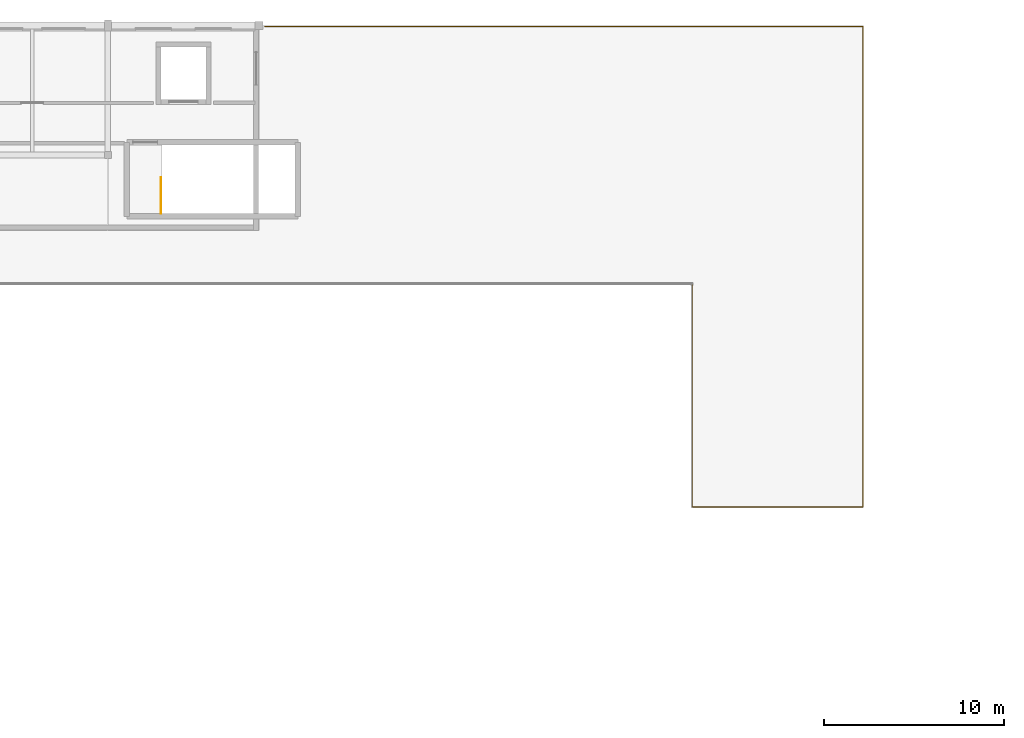
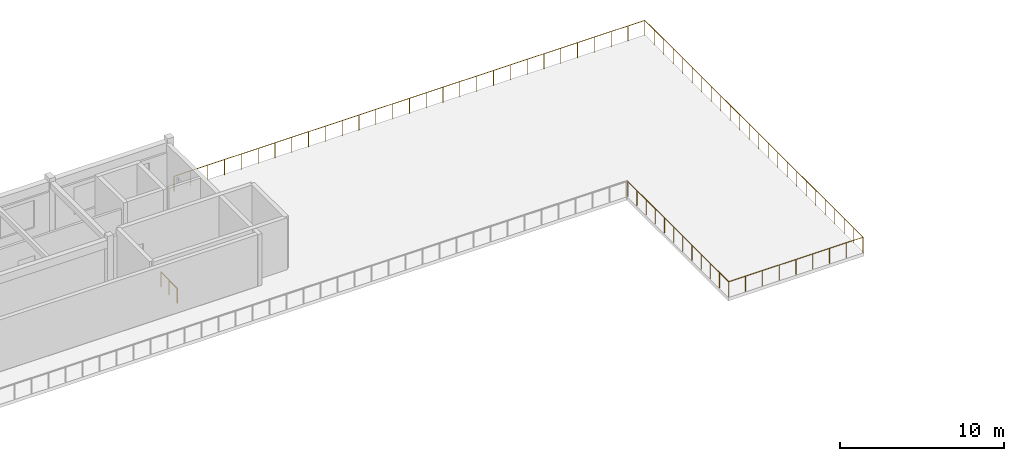
# One storey, part 14 of 14: 2 railings.
"""IFC4 building model written with IfcOpenShell, lengths in metres."""

from ifc_helpers import new_model, si_unit, direction, frame, origin, origin_2d, place, context, subcontext, project, spatial, circle, extrude, material, layer, layer_set, type_object, element, save


model = new_model("IFC4")

# Units and contexts
model_context = context("Model", 3, precision=1e-05, world=origin(), true_north=direction((0.0, 1.0)))
body_context = subcontext(model_context, "Body", "Model", "MODEL_VIEW")
ifc_project = project(units=[si_unit("LENGTHUNIT", "METRE"), si_unit("AREAUNIT", "SQUARE_METRE"), si_unit("VOLUMEUNIT", "CUBIC_METRE"), si_unit("PLANEANGLEUNIT", "RADIAN"), si_unit("MASSUNIT", "GRAM", prefix="KILO")], contexts=[model_context])

# Site, building, storey
site_placement = place(None, origin())
site = spatial("IfcSite", under=ifc_project, at=site_placement, CompositionType="ELEMENT")
building_placement = place(site_placement, origin())
building = spatial("IfcBuilding", under=site, at=building_placement, Name="Malvenik Polytechnic", CompositionType="ELEMENT")
storey_placement = place(building_placement, frame((0.0, 0.0, 21.89990234375)))
storey = spatial("IfcBuildingStorey", under=building, at=storey_placement, Name="L05", CompositionType="ELEMENT", Elevation=21.89990234375)

# Railings
ifc_material_1 = material(Name="Galvanised powder-coated steel and laminated glass guard 1150mm", Category="steel")
ifc_layer_1 = layer(ifc_material_1, 0.070068359375)
ifc_layer_set_1 = layer_set([ifc_layer_1], Name="Galvanised powder-coated steel and laminated glass guard 1150mm")
railing_type_1 = type_object("IfcRailingType", Name="ARC-RL-BAL-1150", PredefinedType="BALUSTRADE", material=ifc_layer_set_1)
railing_1_placement = place(storey_placement, frame((101.1201171875, 129.5400390625, 0.0)))
element("IfcRailing", 1, at=railing_1_placement, inside=storey, type_object=railing_type_1, Name="Terrace Perimeter Balustrade L05 #21", PredefinedType="BALUSTRADE", context=body_context, shape_type="SweptSolid", body=[
    extrude(circle(Radius=0.02392578125, at=origin_2d()), frame((0.0, 0.0, 1.1259765625), z_axis=(1.0, 0.0, 0.0), x_axis=(0.0, 1.0, 0.0)), (0.0, 0.0, 1.0), 33.219970703125),
    extrude(circle(Radius=0.02392578125, at=origin_2d()), frame((33.219970703125, 0.0, 1.1259765625), z_axis=(0.0, -1.0, 0.0), x_axis=(1.0, 0.0, 0.0)), (0.0, 0.0, 1.0), 26.679931640625),
    extrude(circle(Radius=0.02392578125, at=origin_2d()), frame((33.219970703125, -26.679931640625, 1.1259765625), z_axis=(-1.0, 0.0, 0.0), x_axis=(0.0, -1.0, 0.0)), (0.0, 0.0, 1.0), 9.47998046875),
    extrude(circle(Radius=0.02392578125, at=origin_2d()), frame((23.739990234375, -26.679931640625, 1.1259765625), z_axis=(0.0, 1.0, 0.0), x_axis=(-1.0, 0.0, 0.0)), (0.0, 0.0, 1.0), 12.33984375),
    extrude(circle(Radius=0.02099609375, at=origin_2d()), origin(), (0.0, 0.0, 1.0), 1.101806640625),
    extrude(circle(Radius=0.02099609375, at=origin_2d()), frame((1.1865234375, 0.0, 0.0)), (0.0, 0.0, 1.0), 1.101806640625),
    extrude(circle(Radius=0.02099609375, at=origin_2d()), frame((2.372802734375, 0.0, 0.0)), (0.0, 0.0, 1.0), 1.101806640625),
    extrude(circle(Radius=0.02099609375, at=origin_2d()), frame((3.559326171875, 0.0, 0.0)), (0.0, 0.0, 1.0), 1.101806640625),
    extrude(circle(Radius=0.02099609375, at=origin_2d()), frame((4.74560546875, 0.0, 0.0)), (0.0, 0.0, 1.0), 1.101806640625),
    extrude(circle(Radius=0.02099609375, at=origin_2d()), frame((5.93212890625, 0.0, 0.0)), (0.0, 0.0, 1.0), 1.101806640625),
    extrude(circle(Radius=0.02099609375, at=origin_2d()), frame((7.11865234375, 0.0, 0.0)), (0.0, 0.0, 1.0), 1.101806640625),
    extrude(circle(Radius=0.02099609375, at=origin_2d()), frame((8.304931640625, 0.0, 0.0)), (0.0, 0.0, 1.0), 1.101806640625),
    extrude(circle(Radius=0.02099609375, at=origin_2d()), frame((9.491455078125, 0.0, 0.0)), (0.0, 0.0, 1.0), 1.101806640625),
    extrude(circle(Radius=0.02099609375, at=origin_2d()), frame((10.677734375, 0.0, 0.0)), (0.0, 0.0, 1.0), 1.101806640625),
    extrude(circle(Radius=0.02099609375, at=origin_2d()), frame((11.8642578125, 0.0, 0.0)), (0.0, 0.0, 1.0), 1.101806640625),
    extrude(circle(Radius=0.02099609375, at=origin_2d()), frame((13.05078125, 0.0, 0.0)), (0.0, 0.0, 1.0), 1.101806640625),
    extrude(circle(Radius=0.02099609375, at=origin_2d()), frame((14.237060546875, 0.0, 0.0)), (0.0, 0.0, 1.0), 1.101806640625),
    extrude(circle(Radius=0.02099609375, at=origin_2d()), frame((15.423583984375, 0.0, 0.0)), (0.0, 0.0, 1.0), 1.101806640625),
    extrude(circle(Radius=0.02099609375, at=origin_2d()), frame((16.60986328125, 0.0, 0.0)), (0.0, 0.0, 1.0), 1.101806640625),
    extrude(circle(Radius=0.02099609375, at=origin_2d()), frame((17.79638671875, 0.0, 0.0)), (0.0, 0.0, 1.0), 1.101806640625),
    extrude(circle(Radius=0.02099609375, at=origin_2d()), frame((18.98291015625, 0.0, 0.0)), (0.0, 0.0, 1.0), 1.101806640625),
    extrude(circle(Radius=0.02099609375, at=origin_2d()), frame((20.169189453125, 0.0, 0.0)), (0.0, 0.0, 1.0), 1.101806640625),
    extrude(circle(Radius=0.02099609375, at=origin_2d()), frame((21.355712890625, 0.0, 0.0)), (0.0, 0.0, 1.0), 1.101806640625),
    extrude(circle(Radius=0.02099609375, at=origin_2d()), frame((22.542236328125, 0.0, 0.0)), (0.0, 0.0, 1.0), 1.101806640625),
    extrude(circle(Radius=0.02099609375, at=origin_2d()), frame((23.728515625, 0.0, 0.0)), (0.0, 0.0, 1.0), 1.101806640625),
    extrude(circle(Radius=0.02099609375, at=origin_2d()), frame((24.9150390625, 0.0, 0.0)), (0.0, 0.0, 1.0), 1.101806640625),
    extrude(circle(Radius=0.02099609375, at=origin_2d()), frame((26.101318359375, 0.0, 0.0)), (0.0, 0.0, 1.0), 1.101806640625),
    extrude(circle(Radius=0.02099609375, at=origin_2d()), frame((27.287841796875, 0.0, 0.0)), (0.0, 0.0, 1.0), 1.101806640625),
    extrude(circle(Radius=0.02099609375, at=origin_2d()), frame((28.474365234375, 0.0, 0.0)), (0.0, 0.0, 1.0), 1.101806640625),
    extrude(circle(Radius=0.02099609375, at=origin_2d()), frame((29.66064453125, 0.0, 0.0)), (0.0, 0.0, 1.0), 1.101806640625),
    extrude(circle(Radius=0.02099609375, at=origin_2d()), frame((30.84716796875, 0.0, 0.0)), (0.0, 0.0, 1.0), 1.101806640625),
    extrude(circle(Radius=0.02099609375, at=origin_2d()), frame((32.033447265625, 0.0, 0.0)), (0.0, 0.0, 1.0), 1.101806640625),
    extrude(circle(Radius=0.02099609375, at=origin_2d()), frame((33.219970703125, 0.0, 0.0)), (0.0, 0.0, 1.0), 1.101806640625),
    extrude(circle(Radius=0.02099609375, at=origin_2d()), frame((33.219970703125, -1.159912109375, 0.0)), (0.0, 0.0, 1.0), 1.101806640625),
    extrude(circle(Radius=0.02099609375, at=origin_2d()), frame((33.219970703125, -2.320068359375, 0.0)), (0.0, 0.0, 1.0), 1.101806640625),
    extrude(circle(Radius=0.02099609375, at=origin_2d()), frame((33.219970703125, -3.47998046875, 0.0)), (0.0, 0.0, 1.0), 1.101806640625),
    extrude(circle(Radius=0.02099609375, at=origin_2d()), frame((33.219970703125, -4.639892578125, 0.0)), (0.0, 0.0, 1.0), 1.101806640625),
    extrude(circle(Radius=0.02099609375, at=origin_2d()), frame((33.219970703125, -5.800048828125, 0.0)), (0.0, 0.0, 1.0), 1.101806640625),
    extrude(circle(Radius=0.02099609375, at=origin_2d()), frame((33.219970703125, -6.9599609375, 0.0)), (0.0, 0.0, 1.0), 1.101806640625),
    extrude(circle(Radius=0.02099609375, at=origin_2d()), frame((33.219970703125, -8.119873046875, 0.0)), (0.0, 0.0, 1.0), 1.101806640625),
    extrude(circle(Radius=0.02099609375, at=origin_2d()), frame((33.219970703125, -9.280029296875, 0.0)), (0.0, 0.0, 1.0), 1.101806640625),
    extrude(circle(Radius=0.02099609375, at=origin_2d()), frame((33.219970703125, -10.43994140625, 0.0)), (0.0, 0.0, 1.0), 1.101806640625),
    extrude(circle(Radius=0.02099609375, at=origin_2d()), frame((33.219970703125, -11.599853515625, 0.0)), (0.0, 0.0, 1.0), 1.101806640625),
    extrude(circle(Radius=0.02099609375, at=origin_2d()), frame((33.219970703125, -12.760009765625, 0.0)), (0.0, 0.0, 1.0), 1.101806640625),
    extrude(circle(Radius=0.02099609375, at=origin_2d()), frame((33.219970703125, -13.919921875, 0.0)), (0.0, 0.0, 1.0), 1.101806640625),
    extrude(circle(Radius=0.02099609375, at=origin_2d()), frame((33.219970703125, -15.080078125, 0.0)), (0.0, 0.0, 1.0), 1.101806640625),
    extrude(circle(Radius=0.02099609375, at=origin_2d()), frame((33.219970703125, -16.239990234375, 0.0)), (0.0, 0.0, 1.0), 1.101806640625),
    extrude(circle(Radius=0.02099609375, at=origin_2d()), frame((33.219970703125, -17.39990234375, 0.0)), (0.0, 0.0, 1.0), 1.101806640625),
    extrude(circle(Radius=0.02099609375, at=origin_2d()), frame((33.219970703125, -18.56005859375, 0.0)), (0.0, 0.0, 1.0), 1.101806640625),
    extrude(circle(Radius=0.02099609375, at=origin_2d()), frame((33.219970703125, -19.719970703125, 0.0)), (0.0, 0.0, 1.0), 1.101806640625),
    extrude(circle(Radius=0.02099609375, at=origin_2d()), frame((33.219970703125, -20.8798828125, 0.0)), (0.0, 0.0, 1.0), 1.101806640625),
    extrude(circle(Radius=0.02099609375, at=origin_2d()), frame((33.219970703125, -22.0400390625, 0.0)), (0.0, 0.0, 1.0), 1.101806640625),
    extrude(circle(Radius=0.02099609375, at=origin_2d()), frame((33.219970703125, -23.199951171875, 0.0)), (0.0, 0.0, 1.0), 1.101806640625),
    extrude(circle(Radius=0.02099609375, at=origin_2d()), frame((33.219970703125, -24.35986328125, 0.0)), (0.0, 0.0, 1.0), 1.101806640625),
    extrude(circle(Radius=0.02099609375, at=origin_2d()), frame((33.219970703125, -25.52001953125, 0.0)), (0.0, 0.0, 1.0), 1.101806640625),
    extrude(circle(Radius=0.02099609375, at=origin_2d()), frame((33.219970703125, -26.679931640625, 0.0)), (0.0, 0.0, 1.0), 1.101806640625),
    extrude(circle(Radius=0.02099609375, at=origin_2d()), frame((32.034912109375, -26.679931640625, 0.0)), (0.0, 0.0, 1.0), 1.101806640625),
    extrude(circle(Radius=0.02099609375, at=origin_2d()), frame((30.85009765625, -26.679931640625, 0.0)), (0.0, 0.0, 1.0), 1.101806640625),
    extrude(circle(Radius=0.02099609375, at=origin_2d()), frame((29.6650390625, -26.679931640625, 0.0)), (0.0, 0.0, 1.0), 1.101806640625),
    extrude(circle(Radius=0.02099609375, at=origin_2d()), frame((28.47998046875, -26.679931640625, 0.0)), (0.0, 0.0, 1.0), 1.101806640625),
    extrude(circle(Radius=0.02099609375, at=origin_2d()), frame((27.294921875, -26.679931640625, 0.0)), (0.0, 0.0, 1.0), 1.101806640625),
    extrude(circle(Radius=0.02099609375, at=origin_2d()), frame((26.10986328125, -26.679931640625, 0.0)), (0.0, 0.0, 1.0), 1.101806640625),
    extrude(circle(Radius=0.02099609375, at=origin_2d()), frame((24.925048828125, -26.679931640625, 0.0)), (0.0, 0.0, 1.0), 1.101806640625),
    extrude(circle(Radius=0.02099609375, at=origin_2d()), frame((23.739990234375, -26.679931640625, 0.0)), (0.0, 0.0, 1.0), 1.101806640625),
    extrude(circle(Radius=0.02099609375, at=origin_2d()), frame((23.739990234375, -25.55810546875, 0.0)), (0.0, 0.0, 1.0), 1.101806640625),
    extrude(circle(Radius=0.02099609375, at=origin_2d()), frame((23.739990234375, -24.436279296875, 0.0)), (0.0, 0.0, 1.0), 1.101806640625),
    extrude(circle(Radius=0.02099609375, at=origin_2d()), frame((23.739990234375, -23.314453125, 0.0)), (0.0, 0.0, 1.0), 1.101806640625),
    extrude(circle(Radius=0.02099609375, at=origin_2d()), frame((23.739990234375, -22.192626953125, 0.0)), (0.0, 0.0, 1.0), 1.101806640625),
    extrude(circle(Radius=0.02099609375, at=origin_2d()), frame((23.739990234375, -21.07080078125, 0.0)), (0.0, 0.0, 1.0), 1.101806640625),
    extrude(circle(Radius=0.02099609375, at=origin_2d()), frame((23.739990234375, -19.94921875, 0.0)), (0.0, 0.0, 1.0), 1.101806640625),
    extrude(circle(Radius=0.02099609375, at=origin_2d()), frame((23.739990234375, -18.827392578125, 0.0)), (0.0, 0.0, 1.0), 1.101806640625),
    extrude(circle(Radius=0.02099609375, at=origin_2d()), frame((23.739990234375, -17.70556640625, 0.0)), (0.0, 0.0, 1.0), 1.101806640625),
    extrude(circle(Radius=0.02099609375, at=origin_2d()), frame((23.739990234375, -16.583740234375, 0.0)), (0.0, 0.0, 1.0), 1.101806640625),
    extrude(circle(Radius=0.02099609375, at=origin_2d()), frame((23.739990234375, -15.4619140625, 0.0)), (0.0, 0.0, 1.0), 1.101806640625),
    extrude(circle(Radius=0.02099609375, at=origin_2d()), frame((23.739990234375, -14.340087890625, 0.0)), (0.0, 0.0, 1.0), 1.101806640625),
])
ifc_material_2 = material(Name="Painted galvanised steel stair well balustrade 1100mm", Category="steel")
ifc_layer_2 = layer(ifc_material_2, 0.050048828125)
ifc_layer_set_2 = layer_set([ifc_layer_2], Name="Painted galvanised steel stair well balustrade 1100mm")
railing_type_2 = type_object("IfcRailingType", Name="ARC-RL-STGD", PredefinedType="BALUSTRADE", material=ifc_layer_set_2)
railing_2_placement = place(storey_placement, frame((95.35009765625, 119.14990234375, 0.0)))
element("IfcRailing", 2, at=railing_2_placement, inside=storey, type_object=railing_type_2, Name="L05 ST-03 top well guard 1", PredefinedType="BALUSTRADE", context=body_context, shape_type="SweptSolid", body=[
    extrude(circle(Radius=0.02392578125, at=origin_2d()), frame((0.0, 0.0, 1.076171875), z_axis=(0.0, 1.0, 0.0), x_axis=(-1.0, 0.0, 0.0)), (0.0, 0.0, 1.0), 2.0),
    extrude(circle(Radius=0.02099609375, at=origin_2d()), origin(), (0.0, 0.0, 1.0), 1.052001953125),
    extrude(circle(Radius=0.02099609375, at=origin_2d()), frame((0.0, 1.0, 0.0)), (0.0, 0.0, 1.0), 1.052001953125),
    extrude(circle(Radius=0.02099609375, at=origin_2d()), frame((0.0, 2.0, 0.0)), (0.0, 0.0, 1.0), 1.052001953125),
])

save(model, "model.ifc")
